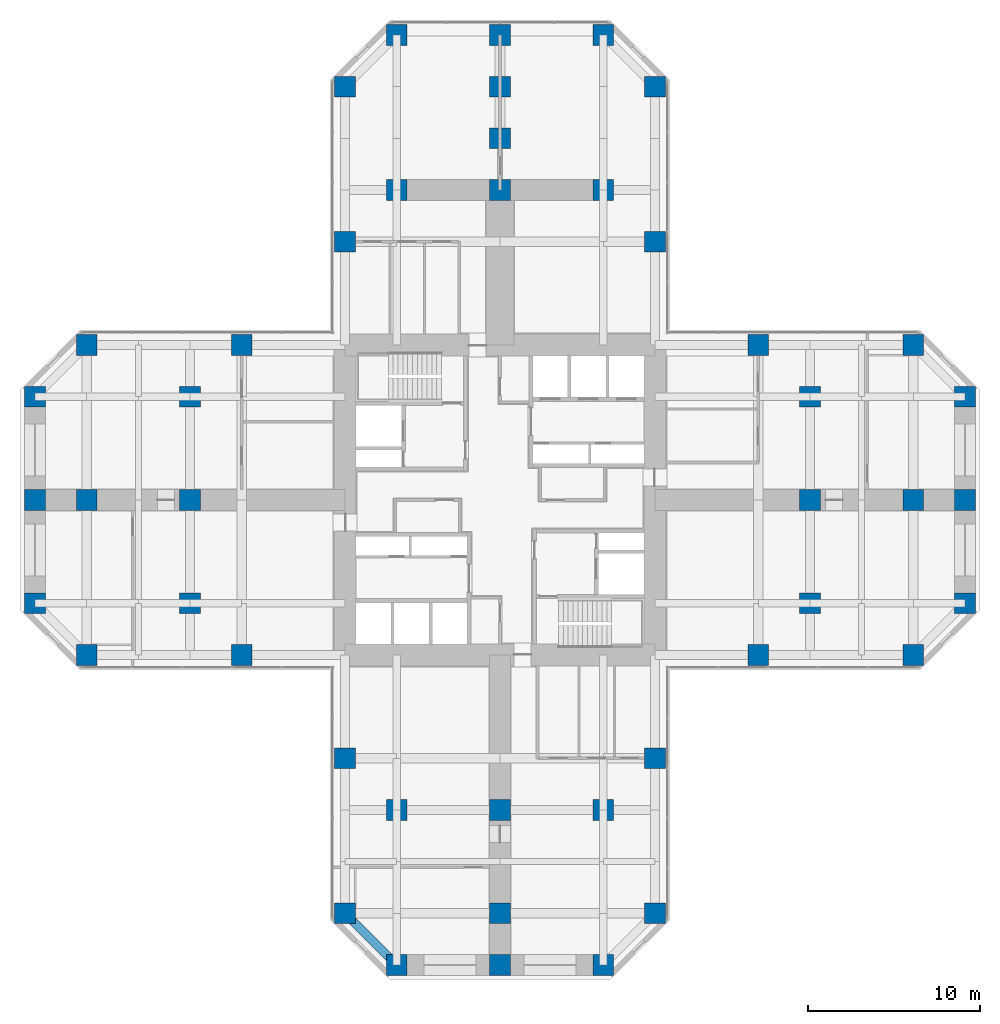
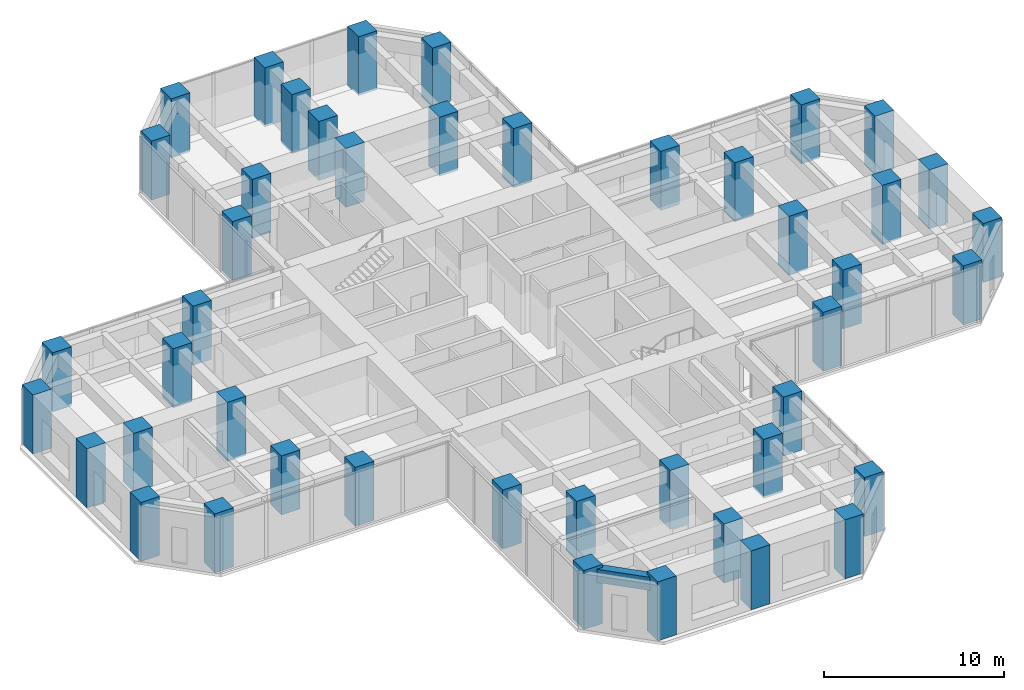
# One storey, part 1 of 12: 45 columns, 1 beam.
"""IFC4 building model written with IfcOpenShell, lengths in metres."""

from ifc_helpers import new_model, si_unit, direction, frame, origin, origin_2d, place, context, subcontext, project, spatial, rectangle, extrude, material, material_profile, profile_set, type_object, element, save


model = new_model("IFC4")

# Units and contexts
model_context = context("Model", 3, precision=1e-05, world=origin(), true_north=direction((0.0, 1.0)))
body_context = subcontext(model_context, "Body", "Model", "MODEL_VIEW")
ifc_project = project(units=[si_unit("LENGTHUNIT", "METRE"), si_unit("AREAUNIT", "SQUARE_METRE"), si_unit("VOLUMEUNIT", "CUBIC_METRE"), si_unit("PLANEANGLEUNIT", "RADIAN"), si_unit("MASSUNIT", "GRAM", prefix="KILO")], contexts=[model_context])

# Site, building, storey
site_placement = place(None, origin())
site = spatial("IfcSite", under=ifc_project, at=site_placement, CompositionType="ELEMENT")
building_placement = place(site_placement, origin())
building = spatial("IfcBuilding", under=site, at=building_placement, Name="Torre Cruceta", CompositionType="ELEMENT")
storey_placement = place(building_placement, frame((0.0, 0.0, 67.5)))
storey = spatial("IfcBuildingStorey", under=building, at=storey_placement, Name="L16", CompositionType="ELEMENT", Elevation=67.5)

# Columns
ifc_material_1 = material(Name="Concrete G60 (fck 60 MPa)", Category="concrete")
ifc_material_profile_1 = material_profile(ifc_material_1, rectangle(XDim=1.199951171875, YDim=1.199951171875, at=origin_2d()), Name="RC 1200X1200")
ifc_profile_set_1 = profile_set([ifc_material_profile_1], Name="Concrete G60 (fck 60 MPa)")
column_type = type_object("IfcColumnType", Name="COLUMN RC 1200X1200", PredefinedType="COLUMN", material=ifc_profile_set_1)
for number, where, z_axis, x_axis, name in (
    (1, (9.0, 15.0, 0.0), (0.0, 0.0, 1.0), (1.0, 0.0, 0.0), "C3 L16 N side"),
    (2, (9.0, 24.0, 0.0), (0.0, 0.0, 1.0), (1.0, 0.0, 0.0), "C3 L16 N chamfer"),
    (3, (-9.0, 15.0, 0.0), (0.0, 0.0, 1.0), (1.0, 0.0, 0.0), "C3 L16 N side"),
    (4, (-9.0, 24.0, 0.0), (0.0, 0.0, 1.0), (1.0, 0.0, 0.0), "C3 L16 N chamfer"),
    (5, (6.0, 27.0, 0.0), (0.0, 0.0, 1.0), (1.0, 0.0, 0.0), "C3 L16 N tip"),
    (6, (0.0, 27.0, 0.0), (0.0, 0.0, 1.0), (1.0, 0.0, 0.0), "C3 L16 N tip"),
    (7, (-6.0, 27.0, 0.0), (0.0, 0.0, 1.0), (1.0, 0.0, 0.0), "C3 L16 N tip"),
    (8, (15.0, -9.0, 0.0), (0.0, 0.0, 1.0), (1.0, 0.0, 0.0), "C3 L16 E side"),
    (9, (24.0, -9.0, 0.0), (0.0, 0.0, 1.0), (1.0, 0.0, 0.0), "C3 L16 E chamfer"),
    (10, (15.0, 9.0, 0.0), (0.0, 0.0, 1.0), (1.0, 0.0, 0.0), "C3 L16 E side"),
    (11, (24.0, 9.0, 0.0), (0.0, 0.0, 1.0), (1.0, 0.0, 0.0), "C3 L16 E chamfer"),
    (12, (27.0, -6.0, 0.0), (0.0, 0.0, 1.0), (1.0, 0.0, 0.0), "C3 L16 E tip"),
    (13, (27.0, 0.0, 0.0), (0.0, 0.0, 1.0), (1.0, 0.0, 0.0), "C3 L16 E tip"),
    (14, (27.0, 6.0, 0.0), (0.0, 0.0, 1.0), (1.0, 0.0, 0.0), "C3 L16 E tip"),
    (15, (-9.0, -15.0, 0.0), (0.0, 0.0, 1.0), (1.0, 0.0, 0.0), "C3 L16 S side"),
    (16, (-9.0, -24.0, 0.0), (0.0, 0.0, 1.0), (1.0, 0.0, 0.0), "C3 L16 S chamfer"),
    (17, (9.0, -15.0, 0.0), (0.0, 0.0, 1.0), (1.0, 0.0, 0.0), "C3 L16 S side"),
    (18, (9.0, -24.0, 0.0), (0.0, 0.0, 1.0), (1.0, 0.0, 0.0), "C3 L16 S chamfer"),
    (19, (-6.0, -27.0, 0.0), (0.0, 0.0, 1.0), (1.0, 0.0, 0.0), "C3 L16 S tip"),
    (20, (0.0, -27.0, 0.0), (0.0, 0.0, 1.0), (1.0, 0.0, 0.0), "C3 L16 S tip"),
    (21, (6.0, -27.0, 0.0), (0.0, 0.0, 1.0), (1.0, 0.0, 0.0), "C3 L16 S tip"),
    (22, (-15.0, 9.0, 0.0), (0.0, 0.0, 1.0), (1.0, 0.0, 0.0), "C3 L16 W side"),
    (23, (-24.0, 9.0, 0.0), (0.0, 0.0, 1.0), (1.0, 0.0, 0.0), "C3 L16 W chamfer"),
    (24, (-15.0, -9.0, 0.0), (0.0, 0.0, 1.0), (1.0, 0.0, 0.0), "C3 L16 W side"),
    (25, (-24.0, -9.0, 0.0), (0.0, 0.0, 1.0), (1.0, 0.0, 0.0), "C3 L16 W chamfer"),
    (26, (-27.0, 6.0, 0.0), (0.0, 0.0, 1.0), (1.0, 0.0, 0.0), "C3 L16 W tip"),
    (27, (-27.0, 0.0, 0.0), (0.0, 0.0, 1.0), (1.0, 0.0, 0.0), "C3 L16 W tip"),
    (28, (-27.0, -6.0, 0.0), (0.0, 0.0, 1.0), (1.0, 0.0, 0.0), "C3 L16 W tip"),
    (29, (6.0, 18.0, 0.0), (0.0, 0.0, 1.0), (1.0, 0.0, 0.0), "C3 L16 N interior"),
    (30, (0.0, 18.0, 0.0), (0.0, 0.0, 1.0), (1.0, 0.0, 0.0), "C3 L16 N interior"),
    (31, (-6.0, 18.0, 0.0), (0.0, 0.0, 1.0), (1.0, 0.0, 0.0), "C3 L16 N interior"),
    (32, (0.0, 21.0, 0.0), (0.0, 0.0, 1.0), (1.0, 0.0, 0.0), "C3 L16 N interior"),
    (33, (0.0, 24.0, 0.0), (0.0, 0.0, 1.0), (1.0, 0.0, 0.0), "C3 L16 N interior"),
    (34, (18.0, -6.0, 0.0), (0.0, 0.0, 1.0), (1.0, 0.0, 0.0), "C3 L16 E interior"),
    (35, (18.0, 0.0, 0.0), (0.0, 0.0, 1.0), (1.0, 0.0, 0.0), "C3 L16 E interior"),
    (36, (18.0, 6.0, 0.0), (0.0, 0.0, 1.0), (1.0, 0.0, 0.0), "C3 L16 E interior"),
    (37, (24.0, 0.0, 0.0), (0.0, 0.0, 1.0), (1.0, 0.0, 0.0), "C3 L16 E interior"),
    (38, (-6.0, -18.0, 0.0), (0.0, 0.0, 1.0), (1.0, 0.0, 0.0), "C3 L16 S interior"),
    (39, (0.0, -18.0, 0.0), (0.0, 0.0, 1.0), (1.0, 0.0, 0.0), "C3 L16 S interior"),
    (40, (6.0, -18.0, 0.0), (0.0, 0.0, 1.0), (1.0, 0.0, 0.0), "C3 L16 S interior"),
    (41, (0.0, -24.0, 0.0), (0.0, 0.0, 1.0), (1.0, 0.0, 0.0), "C3 L16 S interior"),
    (42, (-18.0, 6.0, 0.0), (0.0, 0.0, 1.0), (1.0, 0.0, 0.0), "C3 L16 W interior"),
    (43, (-18.0, 0.0, 0.0), (0.0, 0.0, 1.0), (1.0, 0.0, 0.0), "C3 L16 W interior"),
    (44, (-18.0, -6.0, 0.0), (0.0, 0.0, 1.0), (1.0, 0.0, 0.0), "C3 L16 W interior"),
    (45, (-24.0, 0.0, 0.0), (0.0, 0.0, 1.0), (1.0, 0.0, 0.0), "C3 L16 W interior"),
):
    element("IfcColumn", number, at=place(storey_placement, frame(where, z_axis=z_axis, x_axis=x_axis)), inside=storey, type_object=column_type, Name=name, PredefinedType="COLUMN", context=body_context, shape_type="SweptSolid", body=[
        extrude(rectangle(XDim=1.199951171875, YDim=1.199951171875, at=origin_2d()), origin(), (0.0, 0.0, 1.0), 4.0),
    ])

# Beam
ifc_material_2 = material(Name="Concrete G60 (fck 60 MPa)", Category="concrete")
ifc_material_profile_2 = material_profile(ifc_material_2, rectangle(XDim=0.5, YDim=0.89990234375, at=origin_2d()), Name="RC 500X900")
ifc_profile_set_2 = profile_set([ifc_material_profile_2], Name="Concrete G60 (fck 60 MPa)")
beam_type = type_object("IfcBeamType", Name="SPANDREL BEAM RC 500X900", PredefinedType="SPANDREL", material=ifc_profile_set_2)
beam_placement = place(storey_placement, frame((-9.0, -24.0, 3.35009765625), z_axis=(0.707106781187, -0.707106781187, 0.0), x_axis=(0.707106781187, 0.707106781187, 0.0)))
element("IfcBeam", 46, at=beam_placement, inside=storey, type_object=beam_type, Name="SB4 L16 S side- 5", PredefinedType="SPANDREL", context=body_context, shape_type="SweptSolid", body=[
    extrude(rectangle(XDim=0.5, YDim=0.89990234375, at=origin_2d()), origin(), (0.0, 0.0, 1.0), 4.24267578125),
])

save(model, "model.ifc")
